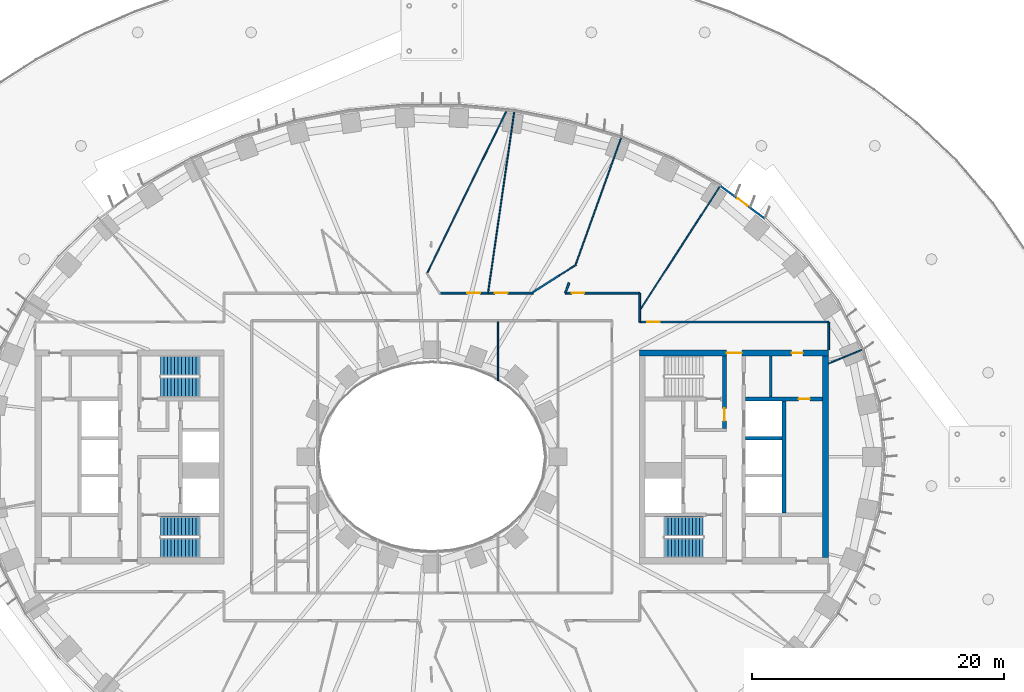
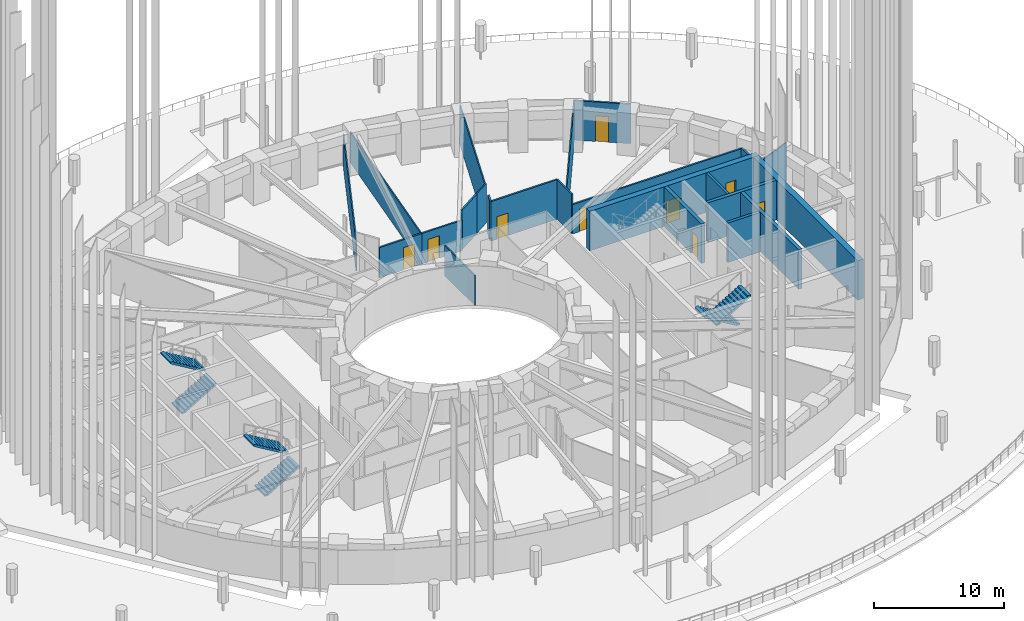
# One storey, part 15 of 30: 23 walls, 9 doors, 6 stair flights, 9 openings, 3 elements without a shape of their own.
"""IFC4 building model written with IfcOpenShell, lengths in metres."""

from ifc_helpers import new_model, si_unit, direction, frame, frame_2d, origin, place, context, subcontext, project, spatial, polyline, rectangle, outline, extrude, material, layer, layer_set, type_object, element, fill, aggregate, save


model = new_model("IFC4")

# Units and contexts
model_context = context("Model", 3, precision=1e-05, world=origin(), true_north=direction((0.0, 1.0)))
body_context = subcontext(model_context, "Body", "Model", "MODEL_VIEW")
ifc_project = project(units=[si_unit("LENGTHUNIT", "METRE"), si_unit("AREAUNIT", "SQUARE_METRE"), si_unit("VOLUMEUNIT", "CUBIC_METRE"), si_unit("PLANEANGLEUNIT", "RADIAN"), si_unit("MASSUNIT", "GRAM", prefix="KILO")], contexts=[model_context])

# Site, building, storey
site_placement = place(None, origin())
site = spatial("IfcSite", under=ifc_project, at=site_placement, CompositionType="ELEMENT")
building_placement = place(site_placement, origin())
building = spatial("IfcBuilding", under=site, at=building_placement, Name="Noorbagh Ring Tower", CompositionType="ELEMENT")
storey_placement = place(building_placement, frame((0.0, 0.0, 30.5)))
storey = spatial("IfcBuildingStorey", under=building, at=storey_placement, Name="L05", CompositionType="ELEMENT", Elevation=30.5)

# Walls
ifc_material_1 = material(Name="Gypsum board on steel studs", Category="steel")
ifc_layer_1 = layer(ifc_material_1, 0.199951171875)
ifc_layer_set_1 = layer_set([ifc_layer_1], Name="Gypsum board on steel studs")
wall_type_1 = type_object("IfcWallType", Name="CORE-PARTITION-200", PredefinedType="PARTITIONING", material=ifc_layer_set_1)
wall_1_placement = place(storey_placement, frame((26.89990234375, 4.75, 0.0), z_axis=(0.0, 0.0, 1.0), x_axis=(0.0, 1.0, 0.0)))
element("IfcWall", 1, at=wall_1_placement, inside=storey, type_object=wall_type_1, Name="Core partition E", PredefinedType="PARTITIONING", context=body_context, shape_type="SweptSolid", body=[
    extrude(rectangle(XDim=3.25, YDim=0.199951171875, at=frame_2d((1.625, 0.0))), origin(), (0.0, 0.0, 1.0), 3.699951171875),
])
ifc_material_2 = material(Name="Concrete C70/85", Category="concrete")
ifc_layer_2 = layer(ifc_material_2, 0.25)
ifc_layer_set_2 = layer_set([ifc_layer_2], Name="Concrete C70/85")
wall_type_2 = type_object("IfcWallType", Name="CORE-WALL-250-C70-85-EI120", PredefinedType="SHEAR", material=ifc_layer_set_2)
wall_2_placement = place(storey_placement, frame((24.89990234375, 1.47509765625, 0.0), z_axis=(0.0, 0.0, 1.0), x_axis=(1.0, 0.0, 0.0)))
element("IfcWall", 2, at=wall_2_placement, inside=storey, type_object=wall_type_2, Name="Core wall E", PredefinedType="SHEAR", context=body_context, shape_type="SweptSolid", body=[
    extrude(rectangle(XDim=2.900146484375, YDim=0.25, at=frame_2d((1.4501953125, 0.0))), origin(), (0.0, 0.0, 1.0), 3.699951171875),
])
ifc_material_3 = material(Name="Concrete C70/85", Category="concrete")
ifc_layer_3 = layer(ifc_material_3, 0.300048828125)
ifc_layer_set_3 = layer_set([ifc_layer_3], Name="Concrete C70/85")
wall_type_3 = type_object("IfcWallType", Name="CORE-WALL-300-C70-85-EI120", PredefinedType="SHEAR", material=ifc_layer_set_3)
wall_3_placement = place(storey_placement, frame((27.949951171875, -4.449951171875, 0.0), z_axis=(0.0, 0.0, 1.0), x_axis=(0.0, 1.0, 0.0)))
element("IfcWall", 3, at=wall_3_placement, inside=storey, type_object=wall_type_3, Name="Core wall E", PredefinedType="SHEAR", context=body_context, shape_type="SweptSolid", body=[
    extrude(rectangle(XDim=8.89990234375, YDim=0.300048828125, at=frame_2d((4.449951171875, 0.0))), origin(), (0.0, 0.0, 1.0), 3.699951171875),
])

# Wall, opening, door
ifc_material_4 = material(Name="Concrete C70/85", Category="concrete")
ifc_layer_4 = layer(ifc_material_4, 0.300048828125)
ifc_layer_set_4 = layer_set([ifc_layer_4], Name="Concrete C70/85")
wall_type_4 = type_object("IfcWallType", Name="CORE-WALL-300-C70-85-EI240", PredefinedType="SHEAR", material=ifc_layer_set_4)
wall_4_placement = place(storey_placement, frame((24.89990234375, 4.60009765625, 0.0), z_axis=(0.0, 0.0, 1.0), x_axis=(1.0, 0.0, 0.0)))
wall_4 = element("IfcWall", 4, at=wall_4_placement, inside=storey, type_object=wall_type_4, Name="Core wall E", PredefinedType="SHEAR", context=body_context, shape_type="SweptSolid", body=[
    extrude(rectangle(XDim=6.10009765625, YDim=0.300048828125, at=frame_2d((3.050048828125, 0.0))), origin(), (0.0, 0.0, 1.0), 3.699951171875),
])
opening_1_placement = place(wall_4_placement, frame((4.199951171875, 0.0, 0.0)))
opening_1 = element("IfcOpeningElement", 5, at=opening_1_placement, cuts=wall_4, Name="Opening L05-CE16", PredefinedType="OPENING", context=body_context, shape_type="SweptSolid", body=[
    extrude(rectangle(XDim=0.89990234375, YDim=2.10009765625, at=frame_2d((0.449951171875, 1.050048828125))), frame((0.0, 0.16015625, 0.0), z_axis=(0.0, -1.0, 0.0), x_axis=(1.0, 0.0, 0.0)), (0.0, 0.0, 1.0), 0.320068359375),
])
ifc_material_5 = material(Name="Steel door leaf", Category="steel")
door_type_1 = type_object("IfcDoorType", Name="CORE-DOOR-DROOM", OperationType="SINGLE_SWING_LEFT", PredefinedType="DOOR", material=ifc_material_5)
door_1_placement = place(opening_1_placement, origin())
door_1 = element("IfcDoor", 6, at=door_1_placement, inside=storey, type_object=door_type_1, Name="Core room door L05-CE16", OperationType="SINGLE_SWING_RIGHT", OverallHeight=2.10009765625, OverallWidth=0.89990234375, PredefinedType="DOOR", context=body_context, shape_type="SweptSolid", body=[
    extrude(rectangle(XDim=0.89990234375, YDim=2.10009765625, at=frame_2d((0.449951171875, 1.050048828125))), frame((0.0, 0.02490234375, 0.0), z_axis=(0.0, -1.0, 0.0), x_axis=(1.0, 0.0, 0.0)), (0.0, 0.0, 1.0), 0.050048828125),
])
fill(opening_1, door_1)

wall_5_placement = place(storey_placement, frame((23.22998046875, 2.25, 0.0), z_axis=(0.0, 0.0, 1.0), x_axis=(0.0, 1.0, 0.0)))
wall_5 = element("IfcWall", 7, at=wall_5_placement, inside=storey, type_object=wall_type_4, Name="Core wall E", PredefinedType="SHEAR", context=body_context, shape_type="SweptSolid", body=[
    extrude(rectangle(XDim=5.75, YDim=0.300048828125, at=frame_2d((2.875, 0.0))), origin(), (0.0, 0.0, 1.0), 3.699951171875),
])
opening_2_placement = place(wall_5_placement, frame((0.60009765625, 0.0, 0.0)))
opening_2 = element("IfcOpeningElement", 8, at=opening_2_placement, cuts=wall_5, Name="Opening L05-CE08", PredefinedType="OPENING", context=body_context, shape_type="SweptSolid", body=[
    extrude(rectangle(XDim=1.0, YDim=2.10009765625, at=frame_2d((0.5, 1.050048828125))), frame((0.0, 0.16015625, 0.0), z_axis=(0.0, -1.0, 0.0), x_axis=(1.0, 0.0, 0.0)), (0.0, 0.0, 1.0), 0.320068359375),
])
ifc_material_6 = material(Name="Steel door leaf", Category="steel")
door_type_2 = type_object("IfcDoorType", Name="CORE-DOOR-DVEST", OperationType="SINGLE_SWING_LEFT", PredefinedType="DOOR", material=ifc_material_6)
door_2_placement = place(opening_2_placement, origin())
door_2 = element("IfcDoor", 9, at=door_2_placement, inside=storey, type_object=door_type_2, Name="Stair vestibule door L05-CE08", OperationType="SINGLE_SWING_RIGHT", OverallHeight=2.10009765625, OverallWidth=1.0, PredefinedType="DOOR", context=body_context, shape_type="SweptSolid", body=[
    extrude(rectangle(XDim=1.0, YDim=2.10009765625, at=frame_2d((0.5, 1.050048828125))), frame((0.0, 0.02490234375, 0.0), z_axis=(0.0, -1.0, 0.0), x_axis=(1.0, 0.0, 0.0)), (0.0, 0.0, 1.0), 0.050048828125),
])
fill(opening_2, door_2)

# Wall, openings, doors
ifc_material_7 = material(Name="Concrete C70/85", Category="concrete")
ifc_layer_5 = layer(ifc_material_7, 0.5)
ifc_layer_set_5 = layer_set([ifc_layer_5], Name="Concrete C70/85")
wall_type_5 = type_object("IfcWallType", Name="CORE-WALL-500-C70-85-EI240", PredefinedType="SHEAR", material=ifc_layer_set_5)
wall_6_placement = place(storey_placement, frame((16.5, 8.25, 0.0), z_axis=(0.0, 0.0, 1.0), x_axis=(1.0, 0.0, 0.0)))
wall_6 = element("IfcWall", 10, at=wall_6_placement, inside=storey, type_object=wall_type_5, Name="Core wall E", PredefinedType="SHEAR", context=body_context, shape_type="SweptSolid", body=[
    extrude(rectangle(XDim=15.0, YDim=0.5, at=frame_2d((7.5, 0.0))), origin(), (0.0, 0.0, 1.0), 3.699951171875),
])
opening_3_placement = place(wall_6_placement, frame((6.89990234375, 0.0, 0.0)))
opening_3 = element("IfcOpeningElement", 11, at=opening_3_placement, cuts=wall_6, Name="Opening L05-CE09", PredefinedType="OPENING", context=body_context, shape_type="SweptSolid", body=[
    extrude(rectangle(XDim=1.199951171875, YDim=2.10009765625, at=frame_2d((0.60009765625, 1.050048828125))), frame((0.0, 0.260009765625, 0.0), z_axis=(0.0, -1.0, 0.0), x_axis=(1.0, 0.0, 0.0)), (0.0, 0.0, 1.0), 0.52001953125),
])
opening_4_placement = place(wall_6_placement, frame((12.050048828125, 0.0, 0.0)))
opening_4 = element("IfcOpeningElement", 12, at=opening_4_placement, cuts=wall_6, Name="Opening L05-CE13", PredefinedType="OPENING", context=body_context, shape_type="SweptSolid", body=[
    extrude(rectangle(XDim=0.89990234375, YDim=2.10009765625, at=frame_2d((0.449951171875, 1.050048828125))), frame((0.0, 0.260009765625, 0.0), z_axis=(0.0, -1.0, 0.0), x_axis=(1.0, 0.0, 0.0)), (0.0, 0.0, 1.0), 0.52001953125),
])
door_3_placement = place(opening_4_placement, origin())
door_3 = element("IfcDoor", 13, at=door_3_placement, inside=storey, type_object=door_type_1, Name="Core room door L05-CE13", OperationType="SINGLE_SWING_LEFT", OverallHeight=2.10009765625, OverallWidth=0.89990234375, PredefinedType="DOOR", context=body_context, shape_type="SweptSolid", body=[
    extrude(rectangle(XDim=0.89990234375, YDim=2.10009765625, at=frame_2d((0.449951171875, 1.050048828125))), frame((0.0, 0.02490234375, 0.0), z_axis=(0.0, -1.0, 0.0), x_axis=(1.0, 0.0, 0.0)), (0.0, 0.0, 1.0), 0.050048828125),
])
fill(opening_4, door_3)
ifc_material_8 = material(Name="Steel door leaf", Category="steel")
door_type_3 = type_object("IfcDoorType", Name="CORE-DOOR-PORT", OperationType="DOUBLE_DOOR_DOUBLE_SWING", PredefinedType="DOOR", material=ifc_material_8)
door_4_placement = place(opening_3_placement, origin())
door_4 = element("IfcDoor", 14, at=door_4_placement, inside=storey, type_object=door_type_3, Name="Core entrance door L05-CE09", OperationType="DOUBLE_DOOR_DOUBLE_SWING", OverallHeight=2.10009765625, OverallWidth=1.199951171875, PredefinedType="DOOR", context=body_context, shape_type="SweptSolid", body=[
    extrude(rectangle(XDim=1.199951171875, YDim=2.10009765625, at=frame_2d((0.60009765625, 1.050048828125))), frame((0.0, 0.02490234375, 0.0), z_axis=(0.0, -1.0, 0.0), x_axis=(1.0, 0.0, 0.0)), (0.0, 0.0, 1.0), 0.050048828125),
])
fill(opening_3, door_4)

# Wall
wall_7_placement = place(storey_placement, frame((31.25, -8.0, 0.0), z_axis=(0.0, 0.0, 1.0), x_axis=(0.0, 1.0, 0.0)))
element("IfcWall", 15, at=wall_7_placement, inside=storey, type_object=wall_type_5, Name="Core wall E", PredefinedType="SHEAR", context=body_context, shape_type="SweptSolid", body=[
    extrude(rectangle(XDim=16.0, YDim=0.5, at=frame_2d((8.0, 0.0))), origin(), (0.0, 0.0, 1.0), 3.699951171875),
])

# Wall, opening, door
ifc_material_9 = material(Name="Gypsum board on steel studs", Category="steel")
ifc_layer_6 = layer(ifc_material_9, 0.14990234375)
ifc_layer_set_6 = layer_set([ifc_layer_6], Name="Gypsum board on steel studs")
wall_type_6 = type_object("IfcWallType", Name="CORRIDOR PARTITION 150 EI 30", PredefinedType="PARTITIONING", material=ifc_layer_set_6)
wall_8_placement = place(storey_placement, frame((0.700927734375, 13.0, 0.0), z_axis=(0.0, 0.0, 1.0), x_axis=(1.0, 0.0, 0.0)))
wall_8 = element("IfcWall", 16, at=wall_8_placement, inside=storey, type_object=wall_type_6, Name="L05/wall/P51", PredefinedType="PARTITIONING", context=body_context, shape_type="SweptSolid", body=[
    extrude(rectangle(XDim=3.758056640625, YDim=0.14990234375, at=frame_2d((1.87890625, 0.0))), origin(), (0.0, 0.0, 1.0), 2.85009765625),
])
opening_5_placement = place(wall_8_placement, frame((2.1279296875, 0.0, 0.0)))
opening_5 = element("IfcOpeningElement", 17, at=opening_5_placement, cuts=wall_8, Name="Opening D1", PredefinedType="OPENING", context=body_context, shape_type="SweptSolid", body=[
    extrude(rectangle(XDim=1.0, YDim=2.10009765625, at=frame_2d((0.5, 1.050048828125))), frame((0.0, 0.0849609375, 0.0), z_axis=(0.0, -1.0, 0.0), x_axis=(1.0, 0.0, 0.0)), (0.0, 0.0, 1.0), 0.169921875),
])
ifc_material_10 = material(Name="Timber, painted", Category="wood")
door_type_4 = type_object("IfcDoorType", Name="DOOR 1000 X 2100 FD30", OperationType="SINGLE_SWING_LEFT", PredefinedType="DOOR", material=ifc_material_10)
door_5_placement = place(opening_5_placement, origin())
door_5 = element("IfcDoor", 18, at=door_5_placement, inside=storey, type_object=door_type_4, Name="L05-D17", OperationType="SINGLE_SWING_LEFT", OverallHeight=2.10009765625, OverallWidth=1.0, PredefinedType="DOOR", context=body_context, shape_type="SweptSolid", body=[
    extrude(rectangle(XDim=1.0, YDim=2.10009765625, at=frame_2d((0.5, 1.050048828125))), frame((0.0, 0.02490234375, 0.0), z_axis=(0.0, -1.0, 0.0), x_axis=(1.0, 0.0, 0.0)), (0.0, 0.0, 1.0), 0.050048828125),
])
fill(opening_5, door_5)

wall_9_placement = place(storey_placement, frame((4.47900390625, 13.0, 0.0), z_axis=(0.0, 0.0, 1.0), x_axis=(1.0, 0.0, 0.0)))
wall_9 = element("IfcWall", 19, at=wall_9_placement, inside=storey, type_object=wall_type_6, Name="L05/wall/P56", PredefinedType="PARTITIONING", context=body_context, shape_type="SweptSolid", body=[
    extrude(rectangle(XDim=3.568115234375, YDim=0.14990234375, at=frame_2d((1.7841796875, 0.0))), origin(), (0.0, 0.0, 1.0), 2.85009765625),
])
opening_6_placement = place(wall_9_placement, frame((0.528076171875, 0.0, 0.0)))
opening_6 = element("IfcOpeningElement", 20, at=opening_6_placement, cuts=wall_9, Name="Opening D1", PredefinedType="OPENING", context=body_context, shape_type="SweptSolid", body=[
    extrude(rectangle(XDim=1.0, YDim=2.10009765625, at=frame_2d((0.5, 1.050048828125))), frame((0.0, 0.0849609375, 0.0), z_axis=(0.0, -1.0, 0.0), x_axis=(1.0, 0.0, 0.0)), (0.0, 0.0, 1.0), 0.169921875),
])
door_6_placement = place(opening_6_placement, origin())
door_6 = element("IfcDoor", 21, at=door_6_placement, inside=storey, type_object=door_type_4, Name="L05-D18", OperationType="SINGLE_SWING_RIGHT", OverallHeight=2.10009765625, OverallWidth=1.0, PredefinedType="DOOR", context=body_context, shape_type="SweptSolid", body=[
    extrude(rectangle(XDim=1.0, YDim=2.10009765625, at=frame_2d((0.5, 1.050048828125))), frame((0.0, 0.02490234375, 0.0), z_axis=(0.0, -1.0, 0.0), x_axis=(1.0, 0.0, 0.0)), (0.0, 0.0, 1.0), 0.050048828125),
])
fill(opening_6, door_6)

# Walls
wall_10_placement = place(storey_placement, frame((8.028076171875, 13.076904296875, 0.0), z_axis=(0.0, 0.0, 1.0), x_axis=(0.844718865656, 0.53521027457, 0.0)))
element("IfcWall", 22, at=wall_10_placement, inside=storey, type_object=wall_type_6, Name="L05/wall/P60", PredefinedType="PARTITIONING", context=body_context, shape_type="SweptSolid", body=[
    extrude(rectangle(XDim=2.49658203125, YDim=0.14990234375, at=frame_2d((1.248291015625, 0.0))), origin(), (0.0, 0.0, 1.0), 3.699951171875),
])
wall_11_placement = place(storey_placement, frame((10.594970703125, 13.0, 0.0), z_axis=(0.0, 0.0, 1.0), x_axis=(0.338659506624, 0.940908995904, 0.0)))
element("IfcWall", 23, at=wall_11_placement, inside=storey, type_object=wall_type_6, Name="L05/wall/P65", PredefinedType="PARTITIONING", context=body_context, shape_type="SweptSolid", body=[
    extrude(rectangle(XDim=0.864990234375, YDim=0.14990234375, at=frame_2d((0.4326171875, 0.0))), origin(), (0.0, 0.0, 1.0), 3.699951171875),
])

# Wall, opening, door
wall_12_placement = place(storey_placement, frame((10.60693359375, 13.0, 0.0), z_axis=(0.0, 0.0, 1.0), x_axis=(1.0, 0.0, 0.0)))
wall_12 = element("IfcWall", 24, at=wall_12_placement, inside=storey, type_object=wall_type_6, Name="L05/wall/P67", PredefinedType="PARTITIONING", context=body_context, shape_type="SweptSolid", body=[
    extrude(rectangle(XDim=5.89306640625, YDim=0.14990234375, at=frame_2d((2.946533203125, 0.0))), origin(), (0.0, 0.0, 1.0), 3.699951171875),
])
opening_7_placement = place(wall_12_placement, frame((0.492919921875, 0.0, 0.0)))
opening_7 = element("IfcOpeningElement", 25, at=opening_7_placement, cuts=wall_12, Name="Opening D1", PredefinedType="OPENING", context=body_context, shape_type="SweptSolid", body=[
    extrude(rectangle(XDim=1.0, YDim=2.10009765625, at=frame_2d((0.5, 1.050048828125))), frame((0.0, 0.0849609375, 0.0), z_axis=(0.0, -1.0, 0.0), x_axis=(1.0, 0.0, 0.0)), (0.0, 0.0, 1.0), 0.169921875),
])
door_7_placement = place(opening_7_placement, origin())
door_7 = element("IfcDoor", 26, at=door_7_placement, inside=storey, type_object=door_type_4, Name="L05-D20", OperationType="SINGLE_SWING_RIGHT", OverallHeight=2.10009765625, OverallWidth=1.0, PredefinedType="DOOR", context=body_context, shape_type="SweptSolid", body=[
    extrude(rectangle(XDim=1.0, YDim=2.10009765625, at=frame_2d((0.5, 1.050048828125))), frame((0.0, 0.02490234375, 0.0), z_axis=(0.0, -1.0, 0.0), x_axis=(1.0, 0.0, 0.0)), (0.0, 0.0, 1.0), 0.050048828125),
])
fill(opening_7, door_7)

# Wall
wall_13_placement = place(storey_placement, frame((16.5, 10.699951171875, 0.0), z_axis=(0.0, 0.0, 1.0), x_axis=(0.0, 1.0, 0.0)))
element("IfcWall", 27, at=wall_13_placement, inside=storey, type_object=wall_type_6, Name="L05/wall/P74", PredefinedType="PARTITIONING", context=body_context, shape_type="SweptSolid", body=[
    extrude(rectangle(XDim=2.300048828125, YDim=0.14990234375, at=frame_2d((1.14990234375, 0.0))), origin(), (0.0, 0.0, 1.0), 3.699951171875),
])

# Wall, opening, door
wall_14_placement = place(storey_placement, frame((16.5, 10.699951171875, 0.0), z_axis=(0.0, 0.0, 1.0), x_axis=(1.0, 0.0, 0.0)))
wall_14 = element("IfcWall", 28, at=wall_14_placement, inside=storey, type_object=wall_type_6, Name="L05/wall/P75", PredefinedType="PARTITIONING", context=body_context, shape_type="SweptSolid", body=[
    extrude(rectangle(XDim=15.0, YDim=0.14990234375, at=frame_2d((7.5, 0.0))), origin(), (0.0, 0.0, 1.0), 2.75),
])
opening_8_placement = place(wall_14_placement, frame((0.60009765625, 0.0, 0.0)))
opening_8 = element("IfcOpeningElement", 29, at=opening_8_placement, cuts=wall_14, Name="Opening D1", PredefinedType="OPENING", context=body_context, shape_type="SweptSolid", body=[
    extrude(rectangle(XDim=1.0, YDim=2.10009765625, at=frame_2d((0.5, 1.050048828125))), frame((0.0, 0.0849609375, 0.0), z_axis=(0.0, -1.0, 0.0), x_axis=(1.0, 0.0, 0.0)), (0.0, 0.0, 1.0), 0.169921875),
])
door_8_placement = place(opening_8_placement, origin())
door_8 = element("IfcDoor", 30, at=door_8_placement, inside=storey, type_object=door_type_4, Name="L05-D22", OperationType="SINGLE_SWING_RIGHT", OverallHeight=2.10009765625, OverallWidth=1.0, PredefinedType="DOOR", context=body_context, shape_type="SweptSolid", body=[
    extrude(rectangle(XDim=1.0, YDim=2.10009765625, at=frame_2d((0.5, 1.050048828125))), frame((0.0, 0.02490234375, 0.0), z_axis=(0.0, -1.0, 0.0), x_axis=(1.0, 0.0, 0.0)), (0.0, 0.0, 1.0), 0.050048828125),
])
fill(opening_8, door_8)

# Wall
wall_15_placement = place(storey_placement, frame((31.5, 8.5, 0.0), z_axis=(0.0, 0.0, 1.0), x_axis=(0.0, 1.0, 0.0)))
element("IfcWall", 31, at=wall_15_placement, inside=storey, type_object=wall_type_6, Name="L05/wall/P80", PredefinedType="PARTITIONING", context=body_context, shape_type="SweptSolid", body=[
    extrude(rectangle(XDim=2.199951171875, YDim=0.14990234375, at=frame_2d((1.10009765625, 0.0))), origin(), (0.0, 0.0, 1.0), 2.85009765625),
])

# Wall, opening, door
ifc_material_11 = material(Name="Insulated aluminium clad panel", Category="aluminium")
ifc_layer_7 = layer(ifc_material_11, 0.14990234375)
ifc_layer_set_7 = layer_set([ifc_layer_7], Name="Insulated aluminium clad panel")
wall_type_7 = type_object("IfcWallType", Name="ENV-WALL-DOOR", PredefinedType="STANDARD", material=ifc_layer_set_7)
wall_16_placement = place(storey_placement, frame((26.434814453125, 18.9111328125, 0.0), z_axis=(0.0, 0.0, 1.0), x_axis=(-0.805154287598, 0.593065403782, 0.0)))
wall_16 = element("IfcWall", 32, at=wall_16_placement, inside=storey, type_object=wall_type_7, Name="Terrace door wall chord 06", PredefinedType="STANDARD", context=body_context, shape_type="SweptSolid", body=[
    extrude(rectangle(XDim=4.4248046875, YDim=0.14990234375, at=frame_2d((2.21240234375, 0.0))), origin(), (0.0, 0.0, 1.0), 3.699951171875),
])
opening_9_placement = place(wall_16_placement, frame((1.71240234375, 0.0, 0.0)))
opening_9 = element("IfcOpeningElement", 33, at=opening_9_placement, cuts=wall_16, Name="Opening D-BL", PredefinedType="OPENING", context=body_context, shape_type="SweptSolid", body=[
    extrude(rectangle(XDim=1.0, YDim=2.39990234375, at=frame_2d((0.5, 1.199951171875))), frame((0.0, 0.0849609375, 0.0), z_axis=(0.0, -1.0, 0.0), x_axis=(1.0, 0.0, 0.0)), (0.0, 0.0, 1.0), 0.169921875),
])
ifc_material_12 = material(Name="Aluminium and glass", Category="aluminium")
door_type_5 = type_object("IfcDoorType", Name="ENV-DOOR-BALCONY", OperationType="SINGLE_SWING_LEFT", PredefinedType="DOOR", material=ifc_material_12)
door_9_placement = place(opening_9_placement, origin())
door_9 = element("IfcDoor", 34, at=door_9_placement, inside=storey, type_object=door_type_5, Name="Terrace door chord 06", OperationType="SINGLE_SWING_RIGHT", OverallHeight=2.39990234375, OverallWidth=1.0, PredefinedType="DOOR", context=body_context, shape_type="SweptSolid", body=[
    extrude(rectangle(XDim=1.0, YDim=2.39990234375, at=frame_2d((0.5, 1.199951171875))), frame((0.0, 0.02490234375, 0.0), z_axis=(0.0, -1.0, 0.0), x_axis=(1.0, 0.0, 0.0)), (0.0, 0.0, 1.0), 0.050048828125),
])
fill(opening_9, door_9)

# Walls
ifc_material_13 = material(Name="Gypsum board on steel studs", Category="steel")
ifc_layer_8 = layer(ifc_material_13, 0.10009765625)
ifc_layer_set_8 = layer_set([ifc_layer_8], Name="Gypsum board on steel studs")
wall_type_8 = type_object("IfcWallType", Name="PARTITION 100 GYPSUM", PredefinedType="PARTITIONING", material=ifc_layer_set_8)
wall_17_placement = place(storey_placement, frame((-0.364990234375, 14.60498046875, 0.0), z_axis=(0.0, 0.0, 1.0), x_axis=(0.439218344443, 0.898380345903, 0.0)))
element("IfcWall", 35, at=wall_17_placement, inside=storey, type_object=wall_type_8, Name="L05/wall/P41", PredefinedType="PARTITIONING", context=body_context, shape_type="SweptSolid", body=[
    extrude(rectangle(XDim=14.39599609375, YDim=0.10009765625, at=frame_2d((7.197998046875, 0.0))), origin(), (0.0, 0.0, 1.0), 2.85009765625),
])
wall_18_placement = place(storey_placement, frame((4.458984375, 13.00390625, 0.0), z_axis=(0.0, 0.0, 1.0), x_axis=(0.143087196312, 0.98971008596, 0.0)))
element("IfcWall", 36, at=wall_18_placement, inside=storey, type_object=wall_type_8, Name="L05/wall/P55", PredefinedType="PARTITIONING", context=body_context, shape_type="SweptSolid", body=[
    extrude(rectangle(XDim=14.627685546875, YDim=0.10009765625, at=frame_2d((7.31396484375, 0.0))), origin(), (0.0, 0.0, 1.0), 2.85009765625),
])
wall_19_placement = place(storey_placement, frame((5.242919921875, 6.05908203125, 0.0), z_axis=(0.0, 0.0, 1.0), x_axis=(0.0, 1.0, 0.0)))
element("IfcWall", 37, at=wall_19_placement, inside=storey, type_object=wall_type_8, Name="L05/wall/P58", PredefinedType="PARTITIONING", context=body_context, shape_type="SweptSolid", body=[
    extrude(rectangle(XDim=4.666015625, YDim=0.10009765625, at=frame_2d((2.3330078125, 0.0))), origin(), (0.0, 0.0, 1.0), 2.85009765625),
])
wall_20_placement = place(storey_placement, frame((10.136962890625, 14.4130859375, 0.0), z_axis=(0.0, 0.0, 1.0), x_axis=(0.844849680057, 0.535003755228, 0.0)))
element("IfcWall", 38, at=wall_20_placement, inside=storey, type_object=wall_type_8, Name="L05/wall/P63", PredefinedType="PARTITIONING", context=body_context, shape_type="SweptSolid", body=[
    extrude(rectangle(XDim=1.5625, YDim=0.10009765625, at=frame_2d((0.78125, 0.0))), origin(), (0.0, 0.0, 1.0), 3.699951171875),
])
wall_21_placement = place(storey_placement, frame((11.416015625, 15.281982421875, 0.0), z_axis=(0.0, 0.0, 1.0), x_axis=(0.338364268616, 0.94101520802, 0.0)))
element("IfcWall", 39, at=wall_21_placement, inside=storey, type_object=wall_type_8, Name="L05/wall/P69", PredefinedType="PARTITIONING", context=body_context, shape_type="SweptSolid", body=[
    extrude(rectangle(XDim=10.734130859375, YDim=0.10009765625, at=frame_2d((5.3671875, 0.0))), origin(), (0.0, 0.0, 1.0), 3.699951171875),
])
wall_22_placement = place(storey_placement, frame((16.574951171875, 11.73291015625, 0.0), z_axis=(0.0, 0.0, 1.0), x_axis=(0.54222594427, 0.840232720953, 0.0)))
element("IfcWall", 40, at=wall_22_placement, inside=storey, type_object=wall_type_8, Name="L05/wall/P76", PredefinedType="PARTITIONING", context=body_context, shape_type="SweptSolid", body=[
    extrude(rectangle(XDim=11.67431640625, YDim=0.10009765625, at=frame_2d((5.837158203125, 0.0))), origin(), (0.0, 0.0, 1.0), 3.699951171875),
])
wall_23_placement = place(storey_placement, frame((31.5, 7.409912109375, 0.0), z_axis=(0.0, 0.0, 1.0), x_axis=(0.925344112436, 0.379128307542, 0.0)))
element("IfcWall", 41, at=wall_23_placement, inside=storey, type_object=wall_type_8, Name="L05/wall/P79", PredefinedType="PARTITIONING", context=body_context, shape_type="SweptSolid", body=[
    extrude(rectangle(XDim=2.954345703125, YDim=0.10009765625, at=frame_2d((1.47705078125, 0.0))), origin(), (0.0, 0.0, 1.0), 3.699951171875),
])

# Stair, stair flights
ifc_material_14 = material(Name="Concrete C40/50", Category="concrete")
stair_type = type_object("IfcStairType", Name="CORE-STAIR", PredefinedType="HALF_TURN_STAIR", material=ifc_material_14)
stair_1_placement = place(storey_placement, origin())
stair_1 = element("IfcStair", 42, at=stair_1_placement, inside=storey, type_object=stair_type, Name="L05 Exit stair ST1", PredefinedType="HALF_TURN_STAIR")
ifc_material_15 = material(Name="Concrete C40/50", Category="concrete")
stair_flight_type = type_object("IfcStairFlightType", Name="CORE-STAIR-FLIGHT", PredefinedType="STRAIGHT", material=ifc_material_15)
stair_flight_1_placement = place(storey_placement, frame((-21.530029296875, 5.52490234375, 0.0), z_axis=(0.0, 0.0, 1.0), x_axis=(1.0, 0.0, 0.0)))
stair_flight_1 = element("IfcStairFlight", 43, at=stair_flight_1_placement, type_object=stair_flight_type, Name="ST1 flight 1", NumberOfRisers=12, NumberOfTreads=11, PredefinedType="STRAIGHT", RiserHeight=0.166666667, TreadLength=0.28, context=body_context, shape_type="SweptSolid", body=[
    extrude(outline(polyline([(0.0, 0.0), (0.0, 0.166748046875), (0.280029296875, 0.166748046875), (0.280029296875, 0.333251953125), (0.56005859375, 0.333251953125), (0.56005859375, 0.5), (0.840087890625, 0.5), (0.840087890625, 0.666748046875), (1.1201171875, 0.666748046875), (1.1201171875, 0.833251953125), (1.39990234375, 0.833251953125), (1.39990234375, 1.0), (1.679931640625, 1.0), (1.679931640625, 1.166748046875), (1.9599609375, 1.166748046875), (1.9599609375, 1.333251953125), (2.239990234375, 1.333251953125), (2.239990234375, 1.5), (2.52001953125, 1.5), (2.52001953125, 1.666748046875), (2.800048828125, 1.666748046875), (2.800048828125, 1.833251953125), (3.080078125, 1.833251953125), (3.080078125, 2.0), (3.080078125, 1.658935546875), (0.29296875, 0.0), (0.0, 0.0)])), frame((0.0, 0.77490234375, 0.0), z_axis=(0.0, -1.0, 0.0), x_axis=(1.0, 0.0, 0.0)), (0.0, 0.0, 1.0), 1.550048828125),
])
stair_flight_2_placement = place(storey_placement, frame((-18.449951171875, 7.22509765625, 2.0), z_axis=(0.0, 0.0, 1.0), x_axis=(-1.0, 0.0, 0.0)))
stair_flight_2 = element("IfcStairFlight", 44, at=stair_flight_2_placement, type_object=stair_flight_type, Name="ST1 flight 2", NumberOfRisers=12, NumberOfTreads=11, PredefinedType="STRAIGHT", RiserHeight=0.166666667, TreadLength=0.28, context=body_context, shape_type="SweptSolid", body=[
    extrude(outline(polyline([(0.0, 0.0), (0.0, 0.166748046875), (0.280029296875, 0.166748046875), (0.280029296875, 0.333251953125), (0.56005859375, 0.333251953125), (0.56005859375, 0.5), (0.840087890625, 0.5), (0.840087890625, 0.666748046875), (1.1201171875, 0.666748046875), (1.1201171875, 0.833251953125), (1.39990234375, 0.833251953125), (1.39990234375, 1.0), (1.679931640625, 1.0), (1.679931640625, 1.166748046875), (1.9599609375, 1.166748046875), (1.9599609375, 1.333251953125), (2.239990234375, 1.333251953125), (2.239990234375, 1.5), (2.52001953125, 1.5), (2.52001953125, 1.666748046875), (2.800048828125, 1.666748046875), (2.800048828125, 1.833251953125), (3.080078125, 1.833251953125), (3.080078125, 2.0), (3.080078125, 1.658935546875), (0.29296875, 0.0), (0.0, 0.0)])), frame((0.0, 0.77490234375, 0.0), z_axis=(0.0, -1.0, 0.0), x_axis=(1.0, 0.0, 0.0)), (0.0, 0.0, 1.0), 1.550048828125),
])
aggregate(stair_1, [stair_flight_1, stair_flight_2])

stair_2_placement = place(storey_placement, origin())
stair_2 = element("IfcStair", 45, at=stair_2_placement, inside=storey, type_object=stair_type, Name="L05 Exit stair ST2", PredefinedType="HALF_TURN_STAIR")
stair_flight_3_placement = place(storey_placement, frame((-21.530029296875, -7.22509765625, 0.0), z_axis=(0.0, 0.0, 1.0), x_axis=(1.0, 0.0, 0.0)))
stair_flight_3 = element("IfcStairFlight", 46, at=stair_flight_3_placement, type_object=stair_flight_type, Name="ST2 flight 1", NumberOfRisers=12, NumberOfTreads=11, PredefinedType="STRAIGHT", RiserHeight=0.166666667, TreadLength=0.28, context=body_context, shape_type="SweptSolid", body=[
    extrude(outline(polyline([(0.0, 0.0), (0.0, 0.166748046875), (0.280029296875, 0.166748046875), (0.280029296875, 0.333251953125), (0.56005859375, 0.333251953125), (0.56005859375, 0.5), (0.840087890625, 0.5), (0.840087890625, 0.666748046875), (1.1201171875, 0.666748046875), (1.1201171875, 0.833251953125), (1.39990234375, 0.833251953125), (1.39990234375, 1.0), (1.679931640625, 1.0), (1.679931640625, 1.166748046875), (1.9599609375, 1.166748046875), (1.9599609375, 1.333251953125), (2.239990234375, 1.333251953125), (2.239990234375, 1.5), (2.52001953125, 1.5), (2.52001953125, 1.666748046875), (2.800048828125, 1.666748046875), (2.800048828125, 1.833251953125), (3.080078125, 1.833251953125), (3.080078125, 2.0), (3.080078125, 1.658935546875), (0.29296875, 0.0), (0.0, 0.0)])), frame((0.0, 0.77490234375, 0.0), z_axis=(0.0, -1.0, 0.0), x_axis=(1.0, 0.0, 0.0)), (0.0, 0.0, 1.0), 1.550048828125),
])
stair_flight_4_placement = place(storey_placement, frame((-18.449951171875, -5.52490234375, 2.0), z_axis=(0.0, 0.0, 1.0), x_axis=(-1.0, 0.0, 0.0)))
stair_flight_4 = element("IfcStairFlight", 47, at=stair_flight_4_placement, type_object=stair_flight_type, Name="ST2 flight 2", NumberOfRisers=12, NumberOfTreads=11, PredefinedType="STRAIGHT", RiserHeight=0.166666667, TreadLength=0.28, context=body_context, shape_type="SweptSolid", body=[
    extrude(outline(polyline([(0.0, 0.0), (0.0, 0.166748046875), (0.280029296875, 0.166748046875), (0.280029296875, 0.333251953125), (0.56005859375, 0.333251953125), (0.56005859375, 0.5), (0.840087890625, 0.5), (0.840087890625, 0.666748046875), (1.1201171875, 0.666748046875), (1.1201171875, 0.833251953125), (1.39990234375, 0.833251953125), (1.39990234375, 1.0), (1.679931640625, 1.0), (1.679931640625, 1.166748046875), (1.9599609375, 1.166748046875), (1.9599609375, 1.333251953125), (2.239990234375, 1.333251953125), (2.239990234375, 1.5), (2.52001953125, 1.5), (2.52001953125, 1.666748046875), (2.800048828125, 1.666748046875), (2.800048828125, 1.833251953125), (3.080078125, 1.833251953125), (3.080078125, 2.0), (3.080078125, 1.658935546875), (0.29296875, 0.0), (0.0, 0.0)])), frame((0.0, 0.77490234375, 0.0), z_axis=(0.0, -1.0, 0.0), x_axis=(1.0, 0.0, 0.0)), (0.0, 0.0, 1.0), 1.550048828125),
])
aggregate(stair_2, [stair_flight_3, stair_flight_4])

stair_3_placement = place(storey_placement, origin())
stair_3 = element("IfcStair", 48, at=stair_3_placement, inside=storey, type_object=stair_type, Name="L05 Exit stair ST4", PredefinedType="HALF_TURN_STAIR")
stair_flight_5_placement = place(storey_placement, frame((21.530029296875, -5.52490234375, 0.0), z_axis=(0.0, 0.0, 1.0), x_axis=(-1.0, 0.0, 0.0)))
stair_flight_5 = element("IfcStairFlight", 49, at=stair_flight_5_placement, type_object=stair_flight_type, Name="ST4 flight 1", NumberOfRisers=12, NumberOfTreads=11, PredefinedType="STRAIGHT", RiserHeight=0.166666667, TreadLength=0.28, context=body_context, shape_type="SweptSolid", body=[
    extrude(outline(polyline([(0.0, 0.0), (0.0, 0.166748046875), (0.280029296875, 0.166748046875), (0.280029296875, 0.333251953125), (0.56005859375, 0.333251953125), (0.56005859375, 0.5), (0.840087890625, 0.5), (0.840087890625, 0.666748046875), (1.1201171875, 0.666748046875), (1.1201171875, 0.833251953125), (1.39990234375, 0.833251953125), (1.39990234375, 1.0), (1.679931640625, 1.0), (1.679931640625, 1.166748046875), (1.9599609375, 1.166748046875), (1.9599609375, 1.333251953125), (2.239990234375, 1.333251953125), (2.239990234375, 1.5), (2.52001953125, 1.5), (2.52001953125, 1.666748046875), (2.800048828125, 1.666748046875), (2.800048828125, 1.833251953125), (3.080078125, 1.833251953125), (3.080078125, 2.0), (3.080078125, 1.658935546875), (0.29296875, 0.0), (0.0, 0.0)])), frame((0.0, 0.77490234375, 0.0), z_axis=(0.0, -1.0, 0.0), x_axis=(1.0, 0.0, 0.0)), (0.0, 0.0, 1.0), 1.550048828125),
])
stair_flight_6_placement = place(storey_placement, frame((18.449951171875, -7.22509765625, 2.0), z_axis=(0.0, 0.0, 1.0), x_axis=(1.0, 0.0, 0.0)))
stair_flight_6 = element("IfcStairFlight", 50, at=stair_flight_6_placement, type_object=stair_flight_type, Name="ST4 flight 2", NumberOfRisers=12, NumberOfTreads=11, PredefinedType="STRAIGHT", RiserHeight=0.166666667, TreadLength=0.28, context=body_context, shape_type="SweptSolid", body=[
    extrude(outline(polyline([(0.0, 0.0), (0.0, 0.166748046875), (0.280029296875, 0.166748046875), (0.280029296875, 0.333251953125), (0.56005859375, 0.333251953125), (0.56005859375, 0.5), (0.840087890625, 0.5), (0.840087890625, 0.666748046875), (1.1201171875, 0.666748046875), (1.1201171875, 0.833251953125), (1.39990234375, 0.833251953125), (1.39990234375, 1.0), (1.679931640625, 1.0), (1.679931640625, 1.166748046875), (1.9599609375, 1.166748046875), (1.9599609375, 1.333251953125), (2.239990234375, 1.333251953125), (2.239990234375, 1.5), (2.52001953125, 1.5), (2.52001953125, 1.666748046875), (2.800048828125, 1.666748046875), (2.800048828125, 1.833251953125), (3.080078125, 1.833251953125), (3.080078125, 2.0), (3.080078125, 1.658935546875), (0.29296875, 0.0), (0.0, 0.0)])), frame((0.0, 0.77490234375, 0.0), z_axis=(0.0, -1.0, 0.0), x_axis=(1.0, 0.0, 0.0)), (0.0, 0.0, 1.0), 1.550048828125),
])
aggregate(stair_3, [stair_flight_5, stair_flight_6])

save(model, "model.ifc")
